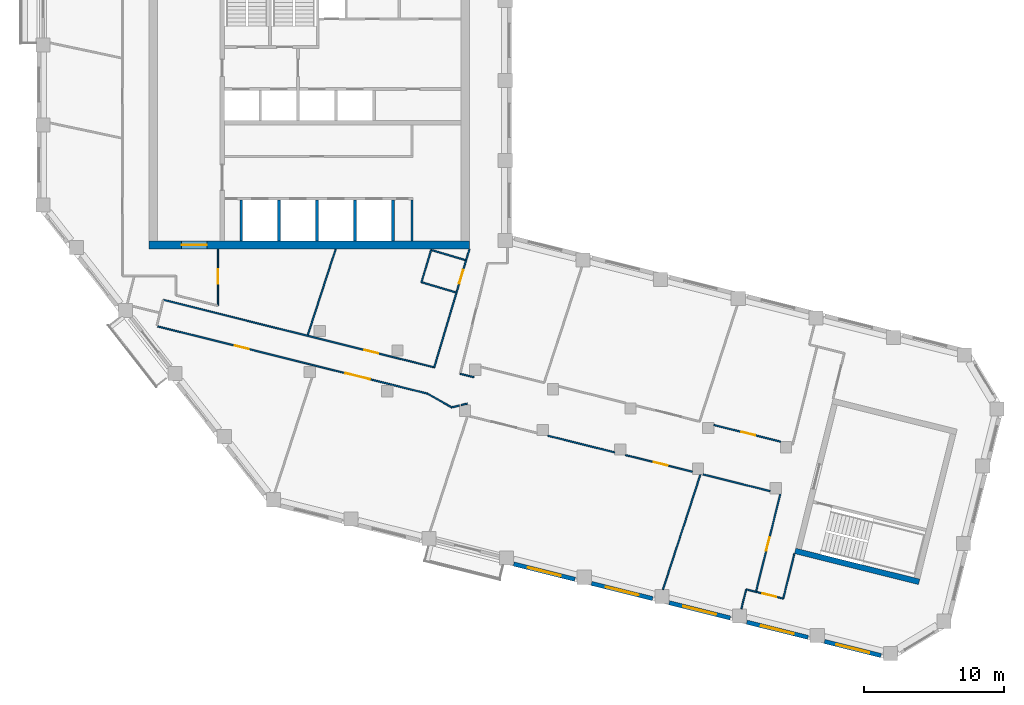
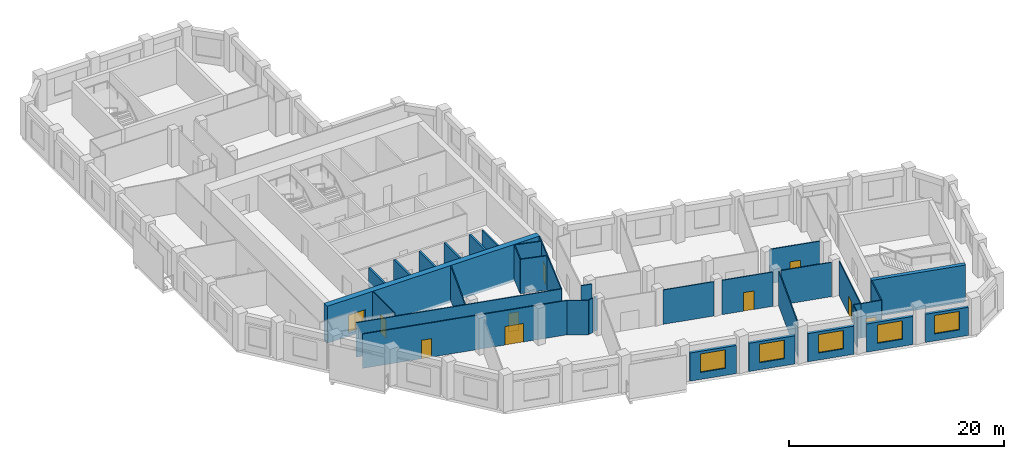
# One storey, part 3 of 9: 35 walls, 10 doors, 5 windows, 15 openings.
"""IFC4 building model written with IfcOpenShell, lengths in metres."""

from ifc_helpers import new_model, si_unit, direction, frame, frame_2d, origin, place, context, subcontext, project, spatial, rectangle, extrude, material, layer, layer_set, type_object, element, fill, save


model = new_model("IFC4")

# Units and contexts
model_context = context("Model", 3, precision=1e-05, world=origin(), true_north=direction((0.0, 1.0)))
body_context = subcontext(model_context, "Body", "Model", "MODEL_VIEW")
ifc_project = project(units=[si_unit("LENGTHUNIT", "METRE"), si_unit("AREAUNIT", "SQUARE_METRE"), si_unit("VOLUMEUNIT", "CUBIC_METRE"), si_unit("PLANEANGLEUNIT", "RADIAN"), si_unit("MASSUNIT", "GRAM", prefix="KILO")], contexts=[model_context])

# Site, building, storey
site_placement = place(None, origin())
site = spatial("IfcSite", under=ifc_project, at=site_placement, CompositionType="ELEMENT")
building_placement = place(site_placement, origin())
building = spatial("IfcBuilding", under=site, at=building_placement, Name="Meshkara Civic Tower", CompositionType="ELEMENT")
storey_placement = place(building_placement, frame((0.0, 0.0, 327.60009765625)))
storey = spatial("IfcBuildingStorey", under=building, at=storey_placement, Name="L75", CompositionType="ELEMENT", Elevation=327.60009765625)

# Wall
ifc_material_1 = material(Name="Blockwork", Category="masonry")
ifc_layer_1 = layer(ifc_material_1, 0.14990234375)
ifc_layer_set_1 = layer_set([ifc_layer_1], Name="Core partition 150")
wall_type_1 = type_object("IfcWallType", Name="Core partition 150", PredefinedType="PARTITIONING", material=ifc_layer_set_1)
wall_1_placement = place(storey_placement, frame((26.699951171875, 14.699951171875, 0.0), z_axis=(0.0, 0.0, 1.0), x_axis=(0.0, 1.0, 0.0)))
element("IfcWall", 1, at=wall_1_placement, inside=storey, type_object=wall_type_1, Name="L75-C025", PredefinedType="PARTITIONING", context=body_context, shape_type="SweptSolid", body=[
    extrude(rectangle(XDim=2.900146484375, YDim=0.14990234375, at=frame_2d((1.4501953125, 0.0))), origin(), (0.0, 0.0, 1.0), 3.89990234375),
])

# Wall, opening, door
ifc_material_2 = material(Name="Concrete C60", Category="concrete")
ifc_layer_2 = layer(ifc_material_2, 0.60009765625)
ifc_layer_set_2 = layer_set([ifc_layer_2], Name="Core ring wall 600 C60")
wall_type_2 = type_object("IfcWallType", Name="Core ring wall 600 C60", PredefinedType="SHEAR", material=ifc_layer_set_2)
wall_2_placement = place(storey_placement, frame((8.0, 14.39990234375, -0.300048828125), z_axis=(0.0, 0.0, 1.0), x_axis=(1.0, 0.0, 0.0)))
wall_2 = element("IfcWall", 2, at=wall_2_placement, inside=storey, type_object=wall_type_2, Name="L75-C001", PredefinedType="SHEAR", context=body_context, shape_type="SweptSolid", body=[
    extrude(rectangle(XDim=22.800048828125, YDim=0.60009765625, at=frame_2d((11.39990234375, 0.0))), origin(), (0.0, 0.0, 1.0), 4.199951171875),
])
opening_1_placement = place(wall_2_placement, frame((2.300048828125, 0.0, 0.300048828125)))
opening_1 = element("IfcOpeningElement", 3, at=opening_1_placement, cuts=wall_2, Name="Opening L75-K022", PredefinedType="OPENING", context=body_context, shape_type="SweptSolid", body=[
    extrude(rectangle(XDim=1.800048828125, YDim=2.10009765625, at=frame_2d((0.89990234375, 1.050048828125))), frame((0.0, 0.31005859375, 0.0), z_axis=(0.0, -1.0, 0.0), x_axis=(1.0, 0.0, 0.0)), (0.0, 0.0, 1.0), 0.6201171875),
])
ifc_material_3 = material(Name="Fire-rated door leaf in steel frame", Category="steel")
door_type_1 = type_object("IfcDoorType", Name="Core double door 1800 EI 60", OperationType="DOUBLE_DOOR_SINGLE_SWING", PredefinedType="DOOR", material=ifc_material_3)
door_1_placement = place(opening_1_placement, origin())
door_1 = element("IfcDoor", 4, at=door_1_placement, inside=storey, type_object=door_type_1, Name="L75-K022", OperationType="DOUBLE_DOOR_SINGLE_SWING", OverallHeight=2.10009765625, OverallWidth=1.800048828125, PredefinedType="DOOR", context=body_context, shape_type="SweptSolid", body=[
    extrude(rectangle(XDim=1.800048828125, YDim=2.10009765625, at=frame_2d((0.89990234375, 1.050048828125))), frame((0.0, 0.02490234375, 0.0), z_axis=(0.0, -1.0, 0.0), x_axis=(1.0, 0.0, 0.0)), (0.0, 0.0, 1.0), 0.050048828125),
])
fill(opening_1, door_1)

# Wall, openings, doors
ifc_material_4 = material(Name="Corridor wall 100")
ifc_layer_3 = layer(ifc_material_4, 0.10009765625)
ifc_layer_set_3 = layer_set([ifc_layer_3], Name="Corridor wall 100")
wall_type_3 = type_object("IfcWallType", Name="Corridor wall 100", PredefinedType="PARTITIONING", material=ifc_layer_set_3)
wall_3_placement = place(storey_placement, frame((8.60107421875, 8.610107421875, 0.0), z_axis=(0.0, 0.0, 1.0), x_axis=(0.970290921205, -0.241941166872, 0.0)))
wall_3 = element("IfcWall", 5, at=wall_3_placement, inside=storey, type_object=wall_type_3, Name="L75-W006", PredefinedType="PARTITIONING", context=body_context, shape_type="SweptSolid", body=[
    extrude(rectangle(XDim=19.8115234375, YDim=0.10009765625, at=frame_2d((9.90576171875, 0.0))), origin(), (0.0, 0.0, 1.0), 3.89990234375),
])
opening_2_placement = place(wall_3_placement, frame((13.784912109375, 0.0, 0.0)))
opening_2 = element("IfcOpeningElement", 6, at=opening_2_placement, cuts=wall_3, Name="Opening L75-D004", PredefinedType="OPENING", context=body_context, shape_type="SweptSolid", body=[
    extrude(rectangle(XDim=1.800048828125, YDim=2.10009765625, at=frame_2d((0.89990234375, 1.050048828125))), frame((0.0, 0.06005859375, 0.0), z_axis=(0.0, -1.0, 0.0), x_axis=(1.0, 0.0, 0.0)), (0.0, 0.0, 1.0), 0.1201171875),
])
opening_3_placement = place(wall_3_placement, frame((5.679931640625, 0.0, 0.0)))
opening_3 = element("IfcOpeningElement", 7, at=opening_3_placement, cuts=wall_3, Name="Opening L75-D009", PredefinedType="OPENING", context=body_context, shape_type="SweptSolid", body=[
    extrude(rectangle(XDim=1.0, YDim=2.10009765625, at=frame_2d((0.5, 1.050048828125))), frame((0.0, 0.06005859375, 0.0), z_axis=(0.0, -1.0, 0.0), x_axis=(1.0, 0.0, 0.0)), (0.0, 0.0, 1.0), 0.1201171875),
])
ifc_material_5 = material(Name="Door 1000 x 2100")
door_type_2 = type_object("IfcDoorType", Name="Door 1000 x 2100", OperationType="SINGLE_SWING_LEFT", PredefinedType="DOOR", material=ifc_material_5)
door_2_placement = place(opening_3_placement, origin())
door_2 = element("IfcDoor", 8, at=door_2_placement, inside=storey, type_object=door_type_2, Name="L75-D009", OperationType="SINGLE_SWING_LEFT", OverallHeight=2.10009765625, OverallWidth=1.0, PredefinedType="DOOR", context=body_context, shape_type="SweptSolid", body=[
    extrude(rectangle(XDim=1.0, YDim=2.10009765625, at=frame_2d((0.5, 1.050048828125))), frame((0.0, 0.02490234375, 0.0), z_axis=(0.0, -1.0, 0.0), x_axis=(1.0, 0.0, 0.0)), (0.0, 0.0, 1.0), 0.050048828125),
])
fill(opening_3, door_2)
ifc_material_6 = material(Name="Door pair 1800 x 2100")
door_type_3 = type_object("IfcDoorType", Name="Door pair 1800 x 2100", OperationType="SINGLE_SWING_LEFT", PredefinedType="DOOR", material=ifc_material_6)
door_3_placement = place(opening_2_placement, origin())
door_3 = element("IfcDoor", 9, at=door_3_placement, inside=storey, type_object=door_type_3, Name="L75-D004", OperationType="DOUBLE_DOOR_SINGLE_SWING", OverallHeight=2.10009765625, OverallWidth=1.800048828125, PredefinedType="DOOR", context=body_context, shape_type="SweptSolid", body=[
    extrude(rectangle(XDim=1.800048828125, YDim=2.10009765625, at=frame_2d((0.89990234375, 1.050048828125))), frame((0.0, 0.02490234375, 0.0), z_axis=(0.0, -1.0, 0.0), x_axis=(1.0, 0.0, 0.0)), (0.0, 0.0, 1.0), 0.050048828125),
])
fill(opening_2, door_3)

# Wall, opening, door
wall_4_placement = place(storey_placement, frame((9.001953125, 10.4990234375, 0.0), z_axis=(0.0, 0.0, 1.0), x_axis=(0.970298340477, -0.241911410372, 0.0)))
wall_4 = element("IfcWall", 10, at=wall_4_placement, inside=storey, type_object=wall_type_3, Name="L75-W007", PredefinedType="PARTITIONING", context=body_context, shape_type="SweptSolid", body=[
    extrude(rectangle(XDim=19.879638671875, YDim=0.10009765625, at=frame_2d((9.93994140625, 0.0))), origin(), (0.0, 0.0, 1.0), 3.89990234375),
])
opening_4_placement = place(wall_4_placement, frame((14.76611328125, 0.0, 0.0)))
opening_4 = element("IfcOpeningElement", 11, at=opening_4_placement, cuts=wall_4, Name="Opening L75-D010", PredefinedType="OPENING", context=body_context, shape_type="SweptSolid", body=[
    extrude(rectangle(XDim=1.0, YDim=2.10009765625, at=frame_2d((0.5, 1.050048828125))), frame((0.0, 0.06005859375, 0.0), z_axis=(0.0, -1.0, 0.0), x_axis=(1.0, 0.0, 0.0)), (0.0, 0.0, 1.0), 0.1201171875),
])
door_4_placement = place(opening_4_placement, origin())
door_4 = element("IfcDoor", 12, at=door_4_placement, inside=storey, type_object=door_type_2, Name="L75-D010", OperationType="SINGLE_SWING_RIGHT", OverallHeight=2.10009765625, OverallWidth=1.0, PredefinedType="DOOR", context=body_context, shape_type="SweptSolid", body=[
    extrude(rectangle(XDim=1.0, YDim=2.10009765625, at=frame_2d((0.5, 1.050048828125))), frame((0.0, 0.02490234375, 0.0), z_axis=(0.0, -1.0, 0.0), x_axis=(1.0, 0.0, 0.0)), (0.0, 0.0, 1.0), 0.050048828125),
])
fill(opening_4, door_4)

wall_5_placement = place(storey_placement, frame((12.89990234375, 10.077880859375, 0.0), z_axis=(0.0, 0.0, 1.0), x_axis=(0.0, 1.0, 0.0)))
wall_5 = element("IfcWall", 13, at=wall_5_placement, inside=storey, type_object=wall_type_3, Name="L75-W015", PredefinedType="PARTITIONING", context=body_context, shape_type="SweptSolid", body=[
    extrude(rectangle(XDim=4.022216796875, YDim=0.10009765625, at=frame_2d((2.01123046875, 0.0))), origin(), (0.0, 0.0, 1.0), 3.89990234375),
])
opening_5_placement = place(wall_5_placement, frame((1.580078125, 0.0, 0.0)))
opening_5 = element("IfcOpeningElement", 14, at=opening_5_placement, cuts=wall_5, Name="Opening L75-D013", PredefinedType="OPENING", context=body_context, shape_type="SweptSolid", body=[
    extrude(rectangle(XDim=1.0, YDim=2.10009765625, at=frame_2d((0.5, 1.050048828125))), frame((0.0, 0.06005859375, 0.0), z_axis=(0.0, -1.0, 0.0), x_axis=(1.0, 0.0, 0.0)), (0.0, 0.0, 1.0), 0.1201171875),
])
door_5_placement = place(opening_5_placement, origin())
door_5 = element("IfcDoor", 15, at=door_5_placement, inside=storey, type_object=door_type_2, Name="L75-D013", OperationType="SINGLE_SWING_LEFT", OverallHeight=2.10009765625, OverallWidth=1.0, PredefinedType="DOOR", context=body_context, shape_type="SweptSolid", body=[
    extrude(rectangle(XDim=1.0, YDim=2.10009765625, at=frame_2d((0.5, 1.050048828125))), frame((0.0, 0.02490234375, 0.0), z_axis=(0.0, -1.0, 0.0), x_axis=(1.0, 0.0, 0.0)), (0.0, 0.0, 1.0), 0.050048828125),
])
fill(opening_5, door_5)

# Wall
wall_6_placement = place(storey_placement, frame((27.823974609375, 3.81689453125, 0.0), z_axis=(0.0, 0.0, 1.0), x_axis=(0.868349676245, -0.495952457163, 0.0)))
element("IfcWall", 16, at=wall_6_placement, inside=storey, type_object=wall_type_3, Name="L75-W018", PredefinedType="PARTITIONING", context=body_context, shape_type="SweptSolid", body=[
    extrude(rectangle(XDim=1.973876953125, YDim=0.10009765625, at=frame_2d((0.98681640625, 0.0))), origin(), (0.0, 0.0, 1.0), 3.89990234375),
])

# Wall, opening, door
wall_7_placement = place(storey_placement, frame((28.291015625, 5.68994140625, 0.0), z_axis=(0.0, 0.0, 1.0), x_axis=(0.28588265334, 0.958264633867, 0.0)))
wall_7 = element("IfcWall", 17, at=wall_7_placement, inside=storey, type_object=wall_type_3, Name="L75-W019", PredefinedType="PARTITIONING", context=body_context, shape_type="SweptSolid", body=[
    extrude(rectangle(XDim=8.7763671875, YDim=0.10009765625, at=frame_2d((4.38818359375, 0.0))), origin(), (0.0, 0.0, 1.0), 3.89990234375),
])
opening_6_placement = place(wall_7_placement, frame((6.22998046875, 0.0, 0.0)))
opening_6 = element("IfcOpeningElement", 18, at=opening_6_placement, cuts=wall_7, Name="Opening L75-D014", PredefinedType="OPENING", context=body_context, shape_type="SweptSolid", body=[
    extrude(rectangle(XDim=1.0, YDim=2.10009765625, at=frame_2d((0.5, 1.050048828125))), frame((0.0, 0.06005859375, 0.0), z_axis=(0.0, -1.0, 0.0), x_axis=(1.0, 0.0, 0.0)), (0.0, 0.0, 1.0), 0.1201171875),
])
door_6_placement = place(opening_6_placement, origin())
door_6 = element("IfcDoor", 19, at=door_6_placement, inside=storey, type_object=door_type_2, Name="L75-D014", OperationType="SINGLE_SWING_LEFT", OverallHeight=2.10009765625, OverallWidth=1.0, PredefinedType="DOOR", context=body_context, shape_type="SweptSolid", body=[
    extrude(rectangle(XDim=1.0, YDim=2.10009765625, at=frame_2d((0.5, 1.050048828125))), frame((0.0, 0.02490234375, 0.0), z_axis=(0.0, -1.0, 0.0), x_axis=(1.0, 0.0, 0.0)), (0.0, 0.0, 1.0), 0.050048828125),
])
fill(opening_6, door_6)

# Walls
wall_8_placement = place(storey_placement, frame((29.5380859375, 2.837890625, 0.0), z_axis=(0.0, 0.0, 1.0), x_axis=(0.971654139629, 0.236406922365, 0.0)))
element("IfcWall", 20, at=wall_8_placement, inside=storey, type_object=wall_type_3, Name="L75-W020", PredefinedType="PARTITIONING", context=body_context, shape_type="SweptSolid", body=[
    extrude(rectangle(XDim=0.562744140625, YDim=0.10009765625, at=frame_2d((0.28125, 0.0))), origin(), (0.0, 0.0, 1.0), 3.89990234375),
])
wall_9_placement = place(storey_placement, frame((30.212890625, 3.001953125, 0.0), z_axis=(0.0, 0.0, 1.0), x_axis=(0.971720514556, 0.236133948408, 0.0)))
element("IfcWall", 21, at=wall_9_placement, inside=storey, type_object=wall_type_3, Name="L75-W022", PredefinedType="PARTITIONING", context=body_context, shape_type="SweptSolid", body=[
    extrude(rectangle(XDim=0.4580078125, YDim=0.10009765625, at=frame_2d((0.22900390625, 0.0))), origin(), (0.0, 0.0, 1.0), 3.89990234375),
])
wall_10_placement = place(storey_placement, frame((31.125, 4.98291015625, 0.0), z_axis=(0.0, 0.0, 1.0), x_axis=(-0.970296981152, 0.24191686251, 0.0)))
element("IfcWall", 22, at=wall_10_placement, inside=storey, type_object=wall_type_3, Name="L75-W025", PredefinedType="PARTITIONING", context=body_context, shape_type="SweptSolid", body=[
    extrude(rectangle(XDim=1.021240234375, YDim=0.10009765625, at=frame_2d((0.5107421875, 0.0))), origin(), (0.0, 0.0, 1.0), 3.89990234375),
])
wall_11_placement = place(storey_placement, frame((36.3798828125, 0.822998046875, 0.0), z_axis=(0.0, 0.0, 1.0), x_axis=(0.970311839682, -0.241857259087, 0.0)))
element("IfcWall", 23, at=wall_11_placement, inside=storey, type_object=wall_type_3, Name="L75-W029", PredefinedType="PARTITIONING", context=body_context, shape_type="SweptSolid", body=[
    extrude(rectangle(XDim=4.911865234375, YDim=0.10009765625, at=frame_2d((2.4560546875, 0.0))), origin(), (0.0, 0.0, 1.0), 3.89990234375),
])

# Wall, opening, door
wall_12_placement = place(storey_placement, frame((41.910888671875, -0.555908203125, 0.0), z_axis=(0.0, 0.0, 1.0), x_axis=(0.970311839682, -0.241857259087, 0.0)))
wall_12 = element("IfcWall", 24, at=wall_12_placement, inside=storey, type_object=wall_type_3, Name="L75-W030", PredefinedType="PARTITIONING", context=body_context, shape_type="SweptSolid", body=[
    extrude(rectangle(XDim=4.911865234375, YDim=0.10009765625, at=frame_2d((2.4560546875, 0.0))), origin(), (0.0, 0.0, 1.0), 3.89990234375),
])
opening_7_placement = place(wall_12_placement, frame((2.080078125, 0.0, 0.0)))
opening_7 = element("IfcOpeningElement", 25, at=opening_7_placement, cuts=wall_12, Name="Opening L75-D003", PredefinedType="OPENING", context=body_context, shape_type="SweptSolid", body=[
    extrude(rectangle(XDim=1.0, YDim=2.10009765625, at=frame_2d((0.5, 1.050048828125))), frame((0.0, 0.06005859375, 0.0), z_axis=(0.0, -1.0, 0.0), x_axis=(1.0, 0.0, 0.0)), (0.0, 0.0, 1.0), 0.1201171875),
])
door_7_placement = place(opening_7_placement, origin())
door_7 = element("IfcDoor", 26, at=door_7_placement, inside=storey, type_object=door_type_2, Name="L75-D003", OperationType="SINGLE_SWING_LEFT", OverallHeight=2.10009765625, OverallWidth=1.0, PredefinedType="DOOR", context=body_context, shape_type="SweptSolid", body=[
    extrude(rectangle(XDim=1.0, YDim=2.10009765625, at=frame_2d((0.5, 1.050048828125))), frame((0.0, 0.02490234375, 0.0), z_axis=(0.0, -1.0, 0.0), x_axis=(1.0, 0.0, 0.0)), (0.0, 0.0, 1.0), 0.050048828125),
])
fill(opening_7, door_7)

# Wall
wall_13_placement = place(storey_placement, frame((47.44189453125, -1.93505859375, 0.0), z_axis=(0.0, 0.0, 1.0), x_axis=(0.970311839682, -0.241857259087, 0.0)))
element("IfcWall", 27, at=wall_13_placement, inside=storey, type_object=wall_type_3, Name="L75-W033", PredefinedType="PARTITIONING", context=body_context, shape_type="SweptSolid", body=[
    extrude(rectangle(XDim=4.911865234375, YDim=0.10009765625, at=frame_2d((2.4560546875, 0.0))), origin(), (0.0, 0.0, 1.0), 3.89990234375),
])

# Wall, opening, door
wall_14_placement = place(storey_placement, frame((51.200927734375, -10.2919921875, 0.0), z_axis=(0.0, 0.0, 1.0), x_axis=(0.970307382734, -0.241875139301, 0.0)))
wall_14 = element("IfcWall", 28, at=wall_14_placement, inside=storey, type_object=wall_type_3, Name="L75-W034", PredefinedType="PARTITIONING", context=body_context, shape_type="SweptSolid", body=[
    extrude(rectangle(XDim=2.00048828125, YDim=0.10009765625, at=frame_2d((1.000244140625, 0.0))), origin(), (0.0, 0.0, 1.0), 3.89990234375),
])
opening_8_placement = place(wall_14_placement, frame((0.47998046875, 0.0, 0.0)))
opening_8 = element("IfcOpeningElement", 29, at=opening_8_placement, cuts=wall_14, Name="Opening L75-D002", PredefinedType="OPENING", context=body_context, shape_type="SweptSolid", body=[
    extrude(rectangle(XDim=1.0, YDim=2.10009765625, at=frame_2d((0.5, 1.050048828125))), frame((0.0, 0.06005859375, 0.0), z_axis=(0.0, -1.0, 0.0), x_axis=(1.0, 0.0, 0.0)), (0.0, 0.0, 1.0), 0.1201171875),
])
door_8_placement = place(opening_8_placement, origin())
door_8 = element("IfcDoor", 30, at=door_8_placement, inside=storey, type_object=door_type_2, Name="L75-D002", OperationType="SINGLE_SWING_RIGHT", OverallHeight=2.10009765625, OverallWidth=1.0, PredefinedType="DOOR", context=body_context, shape_type="SweptSolid", body=[
    extrude(rectangle(XDim=1.0, YDim=2.10009765625, at=frame_2d((0.5, 1.050048828125))), frame((0.0, 0.02490234375, 0.0), z_axis=(0.0, -1.0, 0.0), x_axis=(1.0, 0.0, 0.0)), (0.0, 0.0, 1.0), 0.050048828125),
])
fill(opening_8, door_8)

wall_15_placement = place(storey_placement, frame((52.94091796875, -3.31396484375, 0.0), z_axis=(0.0, 0.0, 1.0), x_axis=(-0.241944492524, -0.97029009195, 0.0)))
wall_15 = element("IfcWall", 31, at=wall_15_placement, inside=storey, type_object=wall_type_3, Name="L75-W035", PredefinedType="PARTITIONING", context=body_context, shape_type="SweptSolid", body=[
    extrude(rectangle(XDim=7.191650390625, YDim=0.10009765625, at=frame_2d((3.595703125, 0.0))), origin(), (0.0, 0.0, 1.0), 3.89990234375),
])
opening_9_placement = place(wall_15_placement, frame((3.179931640625, 0.0, 0.0)))
opening_9 = element("IfcOpeningElement", 32, at=opening_9_placement, cuts=wall_15, Name="Opening L75-D001", PredefinedType="OPENING", context=body_context, shape_type="SweptSolid", body=[
    extrude(rectangle(XDim=1.0, YDim=2.10009765625, at=frame_2d((0.5, 1.050048828125))), frame((0.0, 0.06005859375, 0.0), z_axis=(0.0, -1.0, 0.0), x_axis=(1.0, 0.0, 0.0)), (0.0, 0.0, 1.0), 0.1201171875),
])
door_9_placement = place(opening_9_placement, origin())
door_9 = element("IfcDoor", 33, at=door_9_placement, inside=storey, type_object=door_type_2, Name="L75-D001", OperationType="SINGLE_SWING_LEFT", OverallHeight=2.10009765625, OverallWidth=1.0, PredefinedType="DOOR", context=body_context, shape_type="SweptSolid", body=[
    extrude(rectangle(XDim=1.0, YDim=2.10009765625, at=frame_2d((0.5, 1.050048828125))), frame((0.0, 0.02490234375, 0.0), z_axis=(0.0, -1.0, 0.0), x_axis=(1.0, 0.0, 0.0)), (0.0, 0.0, 1.0), 0.050048828125),
])
fill(opening_9, door_9)

wall_16_placement = place(storey_placement, frame((52.970947265625, 0.39697265625, 0.0), z_axis=(0.0, 0.0, 1.0), x_axis=(-0.970288447449, 0.24195108751, 0.0)))
wall_16 = element("IfcWall", 34, at=wall_16_placement, inside=storey, type_object=wall_type_3, Name="L75-W036", PredefinedType="PARTITIONING", context=body_context, shape_type="SweptSolid", body=[
    extrude(rectangle(XDim=4.9140625, YDim=0.10009765625, at=frame_2d((2.45703125, 0.0))), origin(), (0.0, 0.0, 1.0), 3.89990234375),
])
opening_10_placement = place(wall_16_placement, frame((1.8798828125, 0.0, 0.0)))
opening_10 = element("IfcOpeningElement", 35, at=opening_10_placement, cuts=wall_16, Name="Opening L75-D007", PredefinedType="OPENING", context=body_context, shape_type="SweptSolid", body=[
    extrude(rectangle(XDim=1.0, YDim=2.10009765625, at=frame_2d((0.5, 1.050048828125))), frame((0.0, 0.06005859375, 0.0), z_axis=(0.0, -1.0, 0.0), x_axis=(1.0, 0.0, 0.0)), (0.0, 0.0, 1.0), 0.1201171875),
])
door_10_placement = place(opening_10_placement, origin())
door_10 = element("IfcDoor", 36, at=door_10_placement, inside=storey, type_object=door_type_2, Name="L75-D007", OperationType="SINGLE_SWING_RIGHT", OverallHeight=2.10009765625, OverallWidth=1.0, PredefinedType="DOOR", context=body_context, shape_type="SweptSolid", body=[
    extrude(rectangle(XDim=1.0, YDim=2.10009765625, at=frame_2d((0.5, 1.050048828125))), frame((0.0, 0.02490234375, 0.0), z_axis=(0.0, -1.0, 0.0), x_axis=(1.0, 0.0, 0.0)), (0.0, 0.0, 1.0), 0.050048828125),
])
fill(opening_10, door_10)

# Wall
wall_17_placement = place(storey_placement, frame((53.14208984375, -10.77587890625, 0.0), z_axis=(0.0, 0.0, 1.0), x_axis=(0.241786986316, 0.970329352977, 0.0)))
element("IfcWall", 37, at=wall_17_placement, inside=storey, type_object=wall_type_3, Name="L75-W037", PredefinedType="PARTITIONING", context=body_context, shape_type="SweptSolid", body=[
    extrude(rectangle(XDim=3.2998046875, YDim=0.10009765625, at=frame_2d((1.64990234375, 0.0))), origin(), (0.0, 0.0, 1.0), 3.89990234375),
])

# Wall, opening, window
ifc_material_7 = material(Name="Insulated infill panel with bronze anodised aluminium cladding", Category="aluminium")
ifc_layer_4 = layer(ifc_material_7, 0.300048828125)
ifc_layer_set_4 = layer_set([ifc_layer_4], Name="EXTERNAL INFILL WALL 300")
wall_type_4 = type_object("IfcWallType", Name="EXTERNAL INFILL WALL 300", PredefinedType="SOLIDWALL", material=ifc_layer_set_4)
wall_18_placement = place(storey_placement, frame((33.958984375, -8.31201171875, 0.0), z_axis=(0.0, 0.0, 1.0), x_axis=(0.970276766004, -0.241997928406, 0.0)))
wall_18 = element("IfcWall", 38, at=wall_18_placement, inside=storey, type_object=wall_type_4, Name="External wall", PredefinedType="SOLIDWALL", context=body_context, shape_type="SweptSolid", body=[
    extrude(rectangle(XDim=4.4873046875, YDim=0.300048828125, at=frame_2d((2.24365234375, 0.0))), origin(), (0.0, 0.0, 1.0), 3.199951171875),
])
opening_11_placement = place(wall_18_placement, frame((1.0439453125, 0.0, 0.800048828125)))
opening_11 = element("IfcOpeningElement", 39, at=opening_11_placement, cuts=wall_18, Name="Opening W7", PredefinedType="OPENING", context=body_context, shape_type="SweptSolid", body=[
    extrude(rectangle(XDim=2.39990234375, YDim=2.10009765625, at=frame_2d((1.199951171875, 1.050048828125))), frame((0.0, 0.159912109375, 0.0), z_axis=(0.0, -1.0, 0.0), x_axis=(1.0, 0.0, 0.0)), (0.0, 0.0, 1.0), 0.320068359375),
])
ifc_material_8 = material(Name="Tinted double glazing", Category="glass")
window_type = type_object("IfcWindowType", Name="WINDOW 2400x2100", PartitioningType="DOUBLE_PANEL_VERTICAL", PredefinedType="WINDOW", material=ifc_material_8)
window_1_placement = place(opening_11_placement, origin())
window_1 = element("IfcWindow", 40, at=window_1_placement, inside=storey, type_object=window_type, Name="Window", OverallHeight=2.10009765625, OverallWidth=2.39990234375, PartitioningType="DOUBLE_PANEL_VERTICAL", PredefinedType="WINDOW", context=body_context, shape_type="SweptSolid", body=[
    extrude(rectangle(XDim=2.39990234375, YDim=2.10009765625, at=frame_2d((1.199951171875, 1.050048828125))), frame((0.0, 0.030029296875, 0.0), z_axis=(0.0, -1.0, 0.0), x_axis=(1.0, 0.0, 0.0)), (0.0, 0.0, 1.0), 0.06005859375),
])
fill(opening_11, window_1)

wall_19_placement = place(storey_placement, frame((39.489990234375, -9.69189453125, 0.0), z_axis=(0.0, 0.0, 1.0), x_axis=(0.970302346682, -0.241895341054, 0.0)))
wall_19 = element("IfcWall", 41, at=wall_19_placement, inside=storey, type_object=wall_type_4, Name="External wall", PredefinedType="SOLIDWALL", context=body_context, shape_type="SweptSolid", body=[
    extrude(rectangle(XDim=4.486328125, YDim=0.300048828125, at=frame_2d((2.2431640625, 0.0))), origin(), (0.0, 0.0, 1.0), 3.199951171875),
])
opening_12_placement = place(wall_19_placement, frame((1.0439453125, 0.0, 0.800048828125)))
opening_12 = element("IfcOpeningElement", 42, at=opening_12_placement, cuts=wall_19, Name="Opening W7", PredefinedType="OPENING", context=body_context, shape_type="SweptSolid", body=[
    extrude(rectangle(XDim=2.39990234375, YDim=2.10009765625, at=frame_2d((1.199951171875, 1.050048828125))), frame((0.0, 0.159912109375, 0.0), z_axis=(0.0, -1.0, 0.0), x_axis=(1.0, 0.0, 0.0)), (0.0, 0.0, 1.0), 0.320068359375),
])
window_2_placement = place(opening_12_placement, origin())
window_2 = element("IfcWindow", 43, at=window_2_placement, inside=storey, type_object=window_type, Name="Window", OverallHeight=2.10009765625, OverallWidth=2.39990234375, PartitioningType="DOUBLE_PANEL_VERTICAL", PredefinedType="WINDOW", context=body_context, shape_type="SweptSolid", body=[
    extrude(rectangle(XDim=2.39990234375, YDim=2.10009765625, at=frame_2d((1.199951171875, 1.050048828125))), frame((0.0, 0.030029296875, 0.0), z_axis=(0.0, -1.0, 0.0), x_axis=(1.0, 0.0, 0.0)), (0.0, 0.0, 1.0), 0.06005859375),
])
fill(opening_12, window_2)

wall_20_placement = place(storey_placement, frame((45.02001953125, -11.070068359375, 0.0), z_axis=(0.0, 0.0, 1.0), x_axis=(0.970276766004, -0.241997928406, 0.0)))
wall_20 = element("IfcWall", 44, at=wall_20_placement, inside=storey, type_object=wall_type_4, Name="External wall", PredefinedType="SOLIDWALL", context=body_context, shape_type="SweptSolid", body=[
    extrude(rectangle(XDim=4.4873046875, YDim=0.300048828125, at=frame_2d((2.24365234375, 0.0))), origin(), (0.0, 0.0, 1.0), 3.199951171875),
])
opening_13_placement = place(wall_20_placement, frame((1.0439453125, 0.0, 0.800048828125)))
opening_13 = element("IfcOpeningElement", 45, at=opening_13_placement, cuts=wall_20, Name="Opening W7", PredefinedType="OPENING", context=body_context, shape_type="SweptSolid", body=[
    extrude(rectangle(XDim=2.39990234375, YDim=2.10009765625, at=frame_2d((1.199951171875, 1.050048828125))), frame((0.0, 0.159912109375, 0.0), z_axis=(0.0, -1.0, 0.0), x_axis=(1.0, 0.0, 0.0)), (0.0, 0.0, 1.0), 0.320068359375),
])
window_3_placement = place(opening_13_placement, origin())
window_3 = element("IfcWindow", 46, at=window_3_placement, inside=storey, type_object=window_type, Name="Window", OverallHeight=2.10009765625, OverallWidth=2.39990234375, PartitioningType="DOUBLE_PANEL_VERTICAL", PredefinedType="WINDOW", context=body_context, shape_type="SweptSolid", body=[
    extrude(rectangle(XDim=2.39990234375, YDim=2.10009765625, at=frame_2d((1.199951171875, 1.050048828125))), frame((0.0, 0.030029296875, 0.0), z_axis=(0.0, -1.0, 0.0), x_axis=(1.0, 0.0, 0.0)), (0.0, 0.0, 1.0), 0.06005859375),
])
fill(opening_13, window_3)

wall_21_placement = place(storey_placement, frame((50.551025390625, -12.448974609375, 0.0), z_axis=(0.0, 0.0, 1.0), x_axis=(0.970276766004, -0.241997928406, 0.0)))
wall_21 = element("IfcWall", 47, at=wall_21_placement, inside=storey, type_object=wall_type_4, Name="External wall", PredefinedType="SOLIDWALL", context=body_context, shape_type="SweptSolid", body=[
    extrude(rectangle(XDim=4.4873046875, YDim=0.300048828125, at=frame_2d((2.24365234375, 0.0))), origin(), (0.0, 0.0, 1.0), 3.199951171875),
])
opening_14_placement = place(wall_21_placement, frame((1.0439453125, 0.0, 0.800048828125)))
opening_14 = element("IfcOpeningElement", 48, at=opening_14_placement, cuts=wall_21, Name="Opening W7", PredefinedType="OPENING", context=body_context, shape_type="SweptSolid", body=[
    extrude(rectangle(XDim=2.39990234375, YDim=2.10009765625, at=frame_2d((1.199951171875, 1.050048828125))), frame((0.0, 0.159912109375, 0.0), z_axis=(0.0, -1.0, 0.0), x_axis=(1.0, 0.0, 0.0)), (0.0, 0.0, 1.0), 0.320068359375),
])
window_4_placement = place(opening_14_placement, origin())
window_4 = element("IfcWindow", 49, at=window_4_placement, inside=storey, type_object=window_type, Name="Window", OverallHeight=2.10009765625, OverallWidth=2.39990234375, PartitioningType="DOUBLE_PANEL_VERTICAL", PredefinedType="WINDOW", context=body_context, shape_type="SweptSolid", body=[
    extrude(rectangle(XDim=2.39990234375, YDim=2.10009765625, at=frame_2d((1.199951171875, 1.050048828125))), frame((0.0, 0.030029296875, 0.0), z_axis=(0.0, -1.0, 0.0), x_axis=(1.0, 0.0, 0.0)), (0.0, 0.0, 1.0), 0.06005859375),
])
fill(opening_14, window_4)

wall_22_placement = place(storey_placement, frame((56.0810546875, -13.827880859375, 0.0), z_axis=(0.0, 0.0, 1.0), x_axis=(0.970246294139, -0.242120070853, 0.0)))
wall_22 = element("IfcWall", 50, at=wall_22_placement, inside=storey, type_object=wall_type_4, Name="External wall", PredefinedType="SOLIDWALL", context=body_context, shape_type="SweptSolid", body=[
    extrude(rectangle(XDim=4.147216796875, YDim=0.300048828125, at=frame_2d((2.07373046875, 0.0))), origin(), (0.0, 0.0, 1.0), 3.199951171875),
])
opening_15_placement = place(wall_22_placement, frame((0.8740234375, 0.0, 0.800048828125)))
opening_15 = element("IfcOpeningElement", 51, at=opening_15_placement, cuts=wall_22, Name="Opening W7", PredefinedType="OPENING", context=body_context, shape_type="SweptSolid", body=[
    extrude(rectangle(XDim=2.39990234375, YDim=2.10009765625, at=frame_2d((1.199951171875, 1.050048828125))), frame((0.0, 0.159912109375, 0.0), z_axis=(0.0, -1.0, 0.0), x_axis=(1.0, 0.0, 0.0)), (0.0, 0.0, 1.0), 0.320068359375),
])
window_5_placement = place(opening_15_placement, origin())
window_5 = element("IfcWindow", 52, at=window_5_placement, inside=storey, type_object=window_type, Name="Window", OverallHeight=2.10009765625, OverallWidth=2.39990234375, PartitioningType="DOUBLE_PANEL_VERTICAL", PredefinedType="WINDOW", context=body_context, shape_type="SweptSolid", body=[
    extrude(rectangle(XDim=2.39990234375, YDim=2.10009765625, at=frame_2d((1.199951171875, 1.050048828125))), frame((0.0, 0.030029296875, 0.0), z_axis=(0.0, -1.0, 0.0), x_axis=(1.0, 0.0, 0.0)), (0.0, 0.0, 1.0), 0.06005859375),
])
fill(opening_15, window_5)

# Walls
ifc_material_9 = material(Name="Concrete C60", Category="concrete")
ifc_layer_5 = layer(ifc_material_9, 0.39990234375)
ifc_layer_set_5 = layer_set([ifc_layer_5], Name="End core ring wall 400 C60")
wall_type_5 = type_object("IfcWallType", Name="End core ring wall 400 C60", PredefinedType="SHEAR", material=ifc_layer_set_5)
wall_23_placement = place(storey_placement, frame((53.988037109375, -7.3798828125, -0.300048828125), z_axis=(0.0, 0.0, 1.0), x_axis=(0.970281210621, -0.241980107272, 0.0)))
element("IfcWall", 53, at=wall_23_placement, inside=storey, type_object=wall_type_5, Name="L75-C032", PredefinedType="SHEAR", context=body_context, shape_type="SweptSolid", body=[
    extrude(rectangle(XDim=9.1005859375, YDim=0.39990234375, at=frame_2d((4.55029296875, 0.0))), origin(), (0.0, 0.0, 1.0), 4.199951171875),
])
ifc_material_10 = material(Name="Partition 100")
ifc_layer_6 = layer(ifc_material_10, 0.10009765625)
ifc_layer_set_6 = layer_set([ifc_layer_6], Name="Partition 100")
wall_type_6 = type_object("IfcWallType", Name="Partition 100", PredefinedType="PARTITIONING", material=ifc_layer_set_6)
wall_24_placement = place(storey_placement, frame((19.291015625, 7.989013671875, 0.0), z_axis=(0.0, 0.0, 1.0), x_axis=(0.308911656913, 0.951090736062, 0.0)))
element("IfcWall", 54, at=wall_24_placement, inside=storey, type_object=wall_type_6, Name="L75-W049", PredefinedType="PARTITIONING", context=body_context, shape_type="SweptSolid", body=[
    extrude(rectangle(XDim=6.42529296875, YDim=0.10009765625, at=frame_2d((3.212646484375, 0.0))), origin(), (0.0, 0.0, 1.0), 3.89990234375),
])
wall_25_placement = place(storey_placement, frame((27.385986328125, 11.751953125, 0.0), z_axis=(0.0, 0.0, 1.0), x_axis=(0.285826425332, 0.958281406781, 0.0)))
element("IfcWall", 55, at=wall_25_placement, inside=storey, type_object=wall_type_6, Name="L75-W052", PredefinedType="PARTITIONING", context=body_context, shape_type="SweptSolid", body=[
    extrude(rectangle(XDim=2.400146484375, YDim=0.10009765625, at=frame_2d((1.2001953125, 0.0))), origin(), (0.0, 0.0, 1.0), 3.89990234375),
])
for number, where, z_axis, x_axis, name in (
    (56, (28.072021484375, 14.052001953125, 0.0), (0.0, 0.0, 1.0), (0.95828086131, -0.285828254108, 0.0), "L75-W054"),
    (57, (29.830078125, 11.02294921875, 0.0), (0.0, 0.0, 1.0), (-0.95828086131, 0.285828254108, 0.0), "L75-W055"),
):
    element("IfcWall", number, at=place(storey_placement, frame(where, z_axis=z_axis, x_axis=x_axis)), inside=storey, type_object=wall_type_6, Name=name, PredefinedType="PARTITIONING", context=body_context, shape_type="SweptSolid", body=[
        extrude(rectangle(XDim=2.550537109375, YDim=0.10009765625, at=frame_2d((1.275390625, 0.0))), origin(), (0.0, 0.0, 1.0), 3.89990234375),
    ])
wall_26_placement = place(storey_placement, frame((44.58203125, -10.133056640625, 0.0), z_axis=(0.0, 0.0, 1.0), x_axis=(0.309055972439, 0.951043850671, 0.0)))
element("IfcWall", 58, at=wall_26_placement, inside=storey, type_object=wall_type_6, Name="L75-W057", PredefinedType="PARTITIONING", context=body_context, shape_type="SweptSolid", body=[
    extrude(rectangle(XDim=8.6201171875, YDim=0.10009765625, at=frame_2d((4.31005859375, 0.0))), origin(), (0.0, 0.0, 1.0), 3.89990234375),
])
wall_27_placement = place(storey_placement, frame((50.159912109375, -11.511962890625, 0.0), z_axis=(0.0, 0.0, 1.0), x_axis=(0.241815333826, 0.970322288895, 0.0)))
element("IfcWall", 59, at=wall_27_placement, inside=storey, type_object=wall_type_6, Name="L75-W059", PredefinedType="PARTITIONING", context=body_context, shape_type="SweptSolid", body=[
    extrude(rectangle(XDim=1.435791015625, YDim=0.10009765625, at=frame_2d((0.7177734375, 0.0))), origin(), (0.0, 0.0, 1.0), 3.89990234375),
])
wall_28_placement = place(storey_placement, frame((50.507080078125, -10.118896484375, 0.0), z_axis=(0.0, 0.0, 1.0), x_axis=(0.970282083048, -0.241976609029, 0.0)))
element("IfcWall", 60, at=wall_28_placement, inside=storey, type_object=wall_type_6, Name="L75-W060", PredefinedType="PARTITIONING", context=body_context, shape_type="SweptSolid", body=[
    extrude(rectangle(XDim=0.719482421875, YDim=0.10009765625, at=frame_2d((0.35986328125, 0.0))), origin(), (0.0, 0.0, 1.0), 3.89990234375),
])
ifc_material_11 = material(Name="Concrete C40/50", Category="concrete")
ifc_layer_7 = layer(ifc_material_11, 0.199951171875)
ifc_layer_set_7 = layer_set([ifc_layer_7], Name="Shaft wall 200 C40/50")
wall_type_7 = type_object("IfcWallType", Name="Shaft wall 200 C40/50", PredefinedType="SOLIDWALL", material=ifc_layer_set_7)
for number, where, z_axis, x_axis, name in (
    (61, (14.550048828125, 14.699951171875, 0.0), (0.0, 0.0, 1.0), (0.0, 1.0, 0.0), "L75-C012"),
    (62, (17.25, 14.699951171875, 0.0), (0.0, 0.0, 1.0), (0.0, 1.0, 0.0), "L75-C015"),
    (63, (19.949951171875, 14.699951171875, 0.0), (0.0, 0.0, 1.0), (0.0, 1.0, 0.0), "L75-C017"),
    (64, (22.64990234375, 14.699951171875, 0.0), (0.0, 0.0, 1.0), (0.0, 1.0, 0.0), "L75-C021"),
    (65, (25.35009765625, 14.699951171875, 0.0), (0.0, 0.0, 1.0), (0.0, 1.0, 0.0), "L75-C023"),
):
    element("IfcWall", number, at=place(storey_placement, frame(where, z_axis=z_axis, x_axis=x_axis)), inside=storey, type_object=wall_type_7, Name=name, PredefinedType="SOLIDWALL", context=body_context, shape_type="SweptSolid", body=[
        extrude(rectangle(XDim=2.900146484375, YDim=0.199951171875, at=frame_2d((1.4501953125, 0.0))), origin(), (0.0, 0.0, 1.0), 3.89990234375),
    ])

save(model, "model.ifc")
